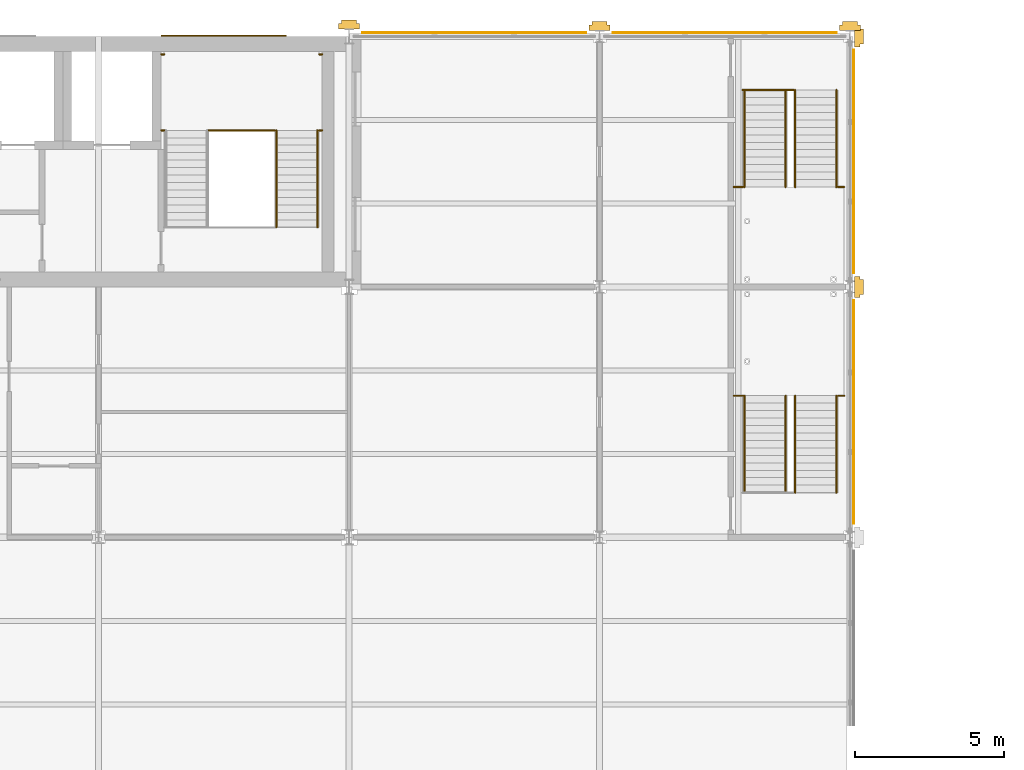
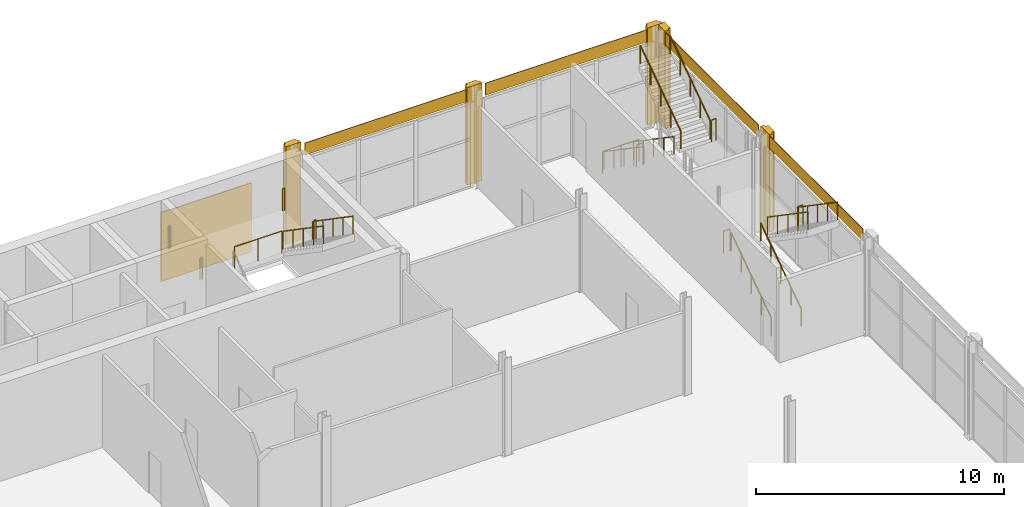
# One storey, part 167 of 167: 20 railings, 10 coverings.
"""IFC4 building model written with IfcOpenShell, lengths in metres."""

from ifc_helpers import new_model, si_unit, direction, frame, origin, origin_2d, place, context, subcontext, project, spatial, polyline, rectangle, circle, outline, extrude, material, layer, layer_set, type_object, element, save


model = new_model("IFC4")

# Units and contexts
model_context = context("Model", 3, precision=1e-05, world=origin(), true_north=direction((0.0, 1.0)))
body_context = subcontext(model_context, "Body", "Model", "MODEL_VIEW")
ifc_project = project(units=[si_unit("LENGTHUNIT", "METRE"), si_unit("AREAUNIT", "SQUARE_METRE"), si_unit("VOLUMEUNIT", "CUBIC_METRE"), si_unit("PLANEANGLEUNIT", "RADIAN"), si_unit("MASSUNIT", "GRAM", prefix="KILO")], contexts=[model_context])

# Site, building, storey
site_placement = place(None, origin())
site = spatial("IfcSite", under=ifc_project, at=site_placement, CompositionType="ELEMENT")
building_placement = place(site_placement, origin())
building = spatial("IfcBuilding", under=site, at=building_placement, Name="Catenary Quay Ferry Terminal", CompositionType="ELEMENT")
storey_placement = place(building_placement, frame((0.0, 0.0, 6.0)))
storey = spatial("IfcBuildingStorey", under=building, at=storey_placement, Name="L01", CompositionType="ELEMENT", Elevation=6.0)

# Coverings
ifc_material_1 = material(Name="Ceramic tile")
ifc_layer_1 = layer(ifc_material_1, 0.0400390625)
ifc_layer_set_1 = layer_set([ifc_layer_1], Name="CL2")
covering_type_1 = type_object("IfcCoveringType", Name="CL2", PredefinedType="CLADDING", material=ifc_layer_set_1)
covering_1_placement = place(storey_placement, origin())
element("IfcCovering", 1, at=covering_1_placement, inside=storey, type_object=covering_type_1, Name="Ceramic pier casing", PredefinedType="CLADDING", context=body_context, shape_type="SweptSolid", body=[
    extrude(outline(polyline([(50.75, 210.25), (50.75, 210.429931640625), (50.64990234375, 210.429931640625), (50.64990234375, 210.550048828125), (50.14990234375, 210.550048828125), (50.14990234375, 210.429931640625), (50.050048828125, 210.429931640625), (50.050048828125, 210.25), (50.75, 210.25)])), origin(), (0.0, 0.0, 1.0), 4.800048828125),
])
covering_2_placement = place(storey_placement, origin())
element("IfcCovering", 2, at=covering_2_placement, inside=storey, type_object=covering_type_1, Name="Ceramic pier casing", PredefinedType="CLADDING", context=body_context, shape_type="SweptSolid", body=[
    extrude(outline(polyline([(59.14990234375, 210.199951171875), (59.14990234375, 210.3798828125), (59.050048828125, 210.3798828125), (59.050048828125, 210.5), (58.550048828125, 210.5), (58.550048828125, 210.3798828125), (58.449951171875, 210.3798828125), (58.449951171875, 210.199951171875), (59.14990234375, 210.199951171875)])), origin(), (0.0, 0.0, 1.0), 4.800048828125),
])
covering_3_placement = place(storey_placement, origin())
element("IfcCovering", 3, at=covering_3_placement, inside=storey, type_object=covering_type_1, Name="Ceramic pier casing", PredefinedType="CLADDING", context=body_context, shape_type="SweptSolid", body=[
    extrude(outline(polyline([(67.35009765625, 201.25), (67.530029296875, 201.25), (67.530029296875, 201.35009765625), (67.64990234375, 201.35009765625), (67.64990234375, 201.85009765625), (67.530029296875, 201.85009765625), (67.530029296875, 201.949951171875), (67.35009765625, 201.949951171875), (67.35009765625, 201.25)])), origin(), (0.0, 0.0, 1.0), 4.800048828125),
])
covering_4_placement = place(storey_placement, origin())
element("IfcCovering", 4, at=covering_4_placement, inside=storey, type_object=covering_type_1, Name="Ceramic pier casing", PredefinedType="CLADDING", context=body_context, shape_type="SweptSolid", body=[
    extrude(outline(polyline([(67.35009765625, 209.64990234375), (67.530029296875, 209.64990234375), (67.530029296875, 209.75), (67.64990234375, 209.75), (67.64990234375, 210.25), (67.530029296875, 210.25), (67.530029296875, 210.35009765625), (67.35009765625, 210.35009765625), (67.35009765625, 209.64990234375)])), origin(), (0.0, 0.0, 1.0), 4.800048828125),
])
covering_5_placement = place(storey_placement, origin())
element("IfcCovering", 5, at=covering_5_placement, inside=storey, type_object=covering_type_1, Name="Ceramic pier casing", PredefinedType="CLADDING", context=body_context, shape_type="SweptSolid", body=[
    extrude(outline(polyline([(67.550048828125, 210.199951171875), (67.550048828125, 210.3798828125), (67.449951171875, 210.3798828125), (67.449951171875, 210.5), (66.949951171875, 210.5), (66.949951171875, 210.3798828125), (66.85009765625, 210.3798828125), (66.85009765625, 210.199951171875), (67.550048828125, 210.199951171875)])), origin(), (0.0, 0.0, 1.0), 4.800048828125),
])
ifc_material_2 = material(Name="Ceramic tile")
ifc_layer_2 = layer(ifc_material_2, 0.034912109375)
ifc_layer_set_2 = layer_set([ifc_layer_2], Name="CL5")
covering_type_2 = type_object("IfcCoveringType", Name="CL5", PredefinedType="CLADDING", material=ifc_layer_set_2)
covering_6_placement = place(storey_placement, frame((46.199951171875, 210.017578125, 0.400146484375), z_axis=(0.0, 0.0, 1.0), x_axis=(1.0, 0.0, 0.0)))
element("IfcCovering", 6, at=covering_6_placement, inside=storey, type_object=covering_type_2, Name="Core h210.0 cladding CV314", PredefinedType="CLADDING", context=body_context, shape_type="SweptSolid", body=[
    extrude(rectangle(XDim=4.199951171875, YDim=0.034912109375, at=origin_2d()), origin(), (0.0, 0.0, 1.0), 3.39990234375),
])
ifc_material_3 = material(Name="Glazed ceramic tile, ochre")
ifc_layer_3 = layer(ifc_material_3, 0.030029296875)
ifc_layer_set_3 = layer_set([ifc_layer_3], Name="CL6")
covering_type_3 = type_object("IfcCoveringType", Name="CL6", PredefinedType="CLADDING", material=ifc_layer_set_3)
for number, where, z_axis, x_axis, name in (
    (7, (67.3193359375, 197.39990234375, 4.199951171875), (0.0, 0.0, 1.0), (1.0, 0.0, 0.0), "Band wing v67.2 cladding CV310"),
    (8, (67.3193359375, 205.800048828125, 4.199951171875), (0.0, 0.0, 1.0), (1.0, 0.0, 0.0), "Band wing v67.2 cladding CV311"),
):
    element("IfcCovering", number, at=place(storey_placement, frame(where, z_axis=z_axis, x_axis=x_axis)), inside=storey, type_object=covering_type_3, Name=name, PredefinedType="CLADDING", context=body_context, shape_type="SweptSolid", body=[
        extrude(rectangle(XDim=0.030029296875, YDim=7.5, at=origin_2d()), origin(), (0.0, 0.0, 1.0), 0.60009765625),
    ])
for number, where, z_axis, x_axis, name in (
    (9, (54.60009765625, 210.119384765625, 4.199951171875), (0.0, 0.0, 1.0), (1.0, 0.0, 0.0), "Band wing h210.0 cladding CV315"),
    (10, (63.0, 210.119384765625, 4.199951171875), (0.0, 0.0, 1.0), (1.0, 0.0, 0.0), "Band wing h210.0 cladding CV316"),
):
    element("IfcCovering", number, at=place(storey_placement, frame(where, z_axis=z_axis, x_axis=x_axis)), inside=storey, type_object=covering_type_3, Name=name, PredefinedType="CLADDING", context=body_context, shape_type="SweptSolid", body=[
        extrude(rectangle(XDim=7.5, YDim=0.030029296875, at=origin_2d()), origin(), (0.0, 0.0, 1.0), 0.60009765625),
    ])

# Railings
ifc_material_4 = material(Name="Steel and glass", Category="steel")
railing_type_1 = type_object("IfcRailingType", Name="GI1", PredefinedType="GUARDRAIL", material=ifc_material_4)
railing_1_placement = place(storey_placement, frame((45.699951171875, 206.85009765625, 2.39990234375)))
element("IfcRailing", 11, at=railing_1_placement, inside=storey, type_object=railing_type_1, Name="HS1 landing guard GI84", PredefinedType="GUARDRAIL", context=body_context, shape_type="SweptSolid", body=[
    extrude(circle(Radius=0.02392578125, at=origin_2d()), frame((0.0, 0.0, 1.076171875), z_axis=(1.0, 0.0, 0.0), x_axis=(0.0, 1.0, 0.0)), (0.0, 0.0, 1.0), 2.199951171875),
    extrude(circle(Radius=0.02099609375, at=origin_2d()), origin(), (0.0, 0.0, 1.0), 1.052001953125),
    extrude(circle(Radius=0.02099609375, at=origin_2d()), frame((1.10009765625, 0.0, 0.0)), (0.0, 0.0, 1.0), 1.052001953125),
    extrude(circle(Radius=0.02099609375, at=origin_2d()), frame((2.199951171875, 0.0, 0.0)), (0.0, 0.0, 1.0), 1.052001953125),
])
railing_2_placement = place(storey_placement, frame((49.5, 206.85009765625, 2.39990234375)))
element("IfcRailing", 12, at=railing_2_placement, inside=storey, type_object=railing_type_1, Name="HS1 strip 0 guard GI85", PredefinedType="GUARDRAIL", context=body_context, shape_type="SweptSolid", body=[
    extrude(circle(Radius=0.02392578125, at=origin_2d()), frame((0.0, 0.0, 1.076171875), z_axis=(-1.0, 0.0, 0.0), x_axis=(0.0, -1.0, 0.0)), (0.0, 0.0, 1.0), 0.099853515625),
    extrude(circle(Radius=0.02099609375, at=origin_2d()), origin(), (0.0, 0.0, 1.0), 1.052001953125),
    extrude(circle(Radius=0.02099609375, at=origin_2d()), frame((-0.099853515625, 0.0, 0.0)), (0.0, 0.0, 1.0), 1.052001953125),
])
for number, where, name in (
    (13, (49.400146484375, 209.39990234375, 2.39990234375), "HS1 strip 0 guard GI86"),
    (14, (44.10009765625, 209.39990234375, 2.39990234375), "HS1 strip 0 guard GI87"),
):
    element("IfcRailing", number, at=place(storey_placement, frame(where)), inside=storey, type_object=railing_type_1, Name=name, PredefinedType="GUARDRAIL", context=body_context, shape_type="SweptSolid", body=[
        extrude(circle(Radius=0.02392578125, at=origin_2d()), frame((0.0, 0.0, 1.076171875), z_axis=(1.0, 0.0, 0.0), x_axis=(0.0, 1.0, 0.0)), (0.0, 0.0, 1.0), 0.099853515625),
        extrude(circle(Radius=0.02099609375, at=origin_2d()), origin(), (0.0, 0.0, 1.0), 1.052001953125),
        extrude(circle(Radius=0.02099609375, at=origin_2d()), frame((0.099853515625, 0.0, 0.0)), (0.0, 0.0, 1.0), 1.052001953125),
    ])
railing_3_placement = place(storey_placement, frame((44.199951171875, 206.85009765625, 2.39990234375)))
element("IfcRailing", 15, at=railing_3_placement, inside=storey, type_object=railing_type_1, Name="HS1 strip 0 guard GI88", PredefinedType="GUARDRAIL", context=body_context, shape_type="SweptSolid", body=[
    extrude(circle(Radius=0.02392578125, at=origin_2d()), frame((0.0, 0.0, 1.076171875), z_axis=(-1.0, 0.0, 0.0), x_axis=(0.0, -1.0, 0.0)), (0.0, 0.0, 1.0), 0.099853515625),
    extrude(circle(Radius=0.02099609375, at=origin_2d()), origin(), (0.0, 0.0, 1.0), 1.052001953125),
    extrude(circle(Radius=0.02099609375, at=origin_2d()), frame((-0.099853515625, 0.0, 0.0)), (0.0, 0.0, 1.0), 1.052001953125),
])
railing_4_placement = place(storey_placement, frame((63.599853515625, 197.949951171875, 2.39990234375)))
element("IfcRailing", 16, at=railing_4_placement, inside=storey, type_object=railing_type_1, Name="HS4 strip 0 guard GI226", PredefinedType="GUARDRAIL", context=body_context, shape_type="SweptSolid", body=[
    extrude(circle(Radius=0.02392578125, at=origin_2d()), frame((0.0, 0.0, 1.076171875), z_axis=(-1.0, 0.0, 0.0), x_axis=(0.0, -1.0, 0.0)), (0.0, 0.0, 1.0), 0.2998046875),
    extrude(circle(Radius=0.02099609375, at=origin_2d()), origin(), (0.0, 0.0, 1.0), 1.052001953125),
    extrude(circle(Radius=0.02099609375, at=origin_2d()), frame((-0.2998046875, 0.0, 0.0)), (0.0, 0.0, 1.0), 1.052001953125),
])
railing_5_placement = place(storey_placement, frame((67.0, 197.949951171875, 2.39990234375)))
element("IfcRailing", 17, at=railing_5_placement, inside=storey, type_object=railing_type_1, Name="HS4 strip 0 guard GI227", PredefinedType="GUARDRAIL", context=body_context, shape_type="SweptSolid", body=[
    extrude(circle(Radius=0.02392578125, at=origin_2d()), frame((0.0, 0.0, 1.076171875), z_axis=(-1.0, 0.0, 0.0), x_axis=(0.0, -1.0, 0.0)), (0.0, 0.0, 1.0), 0.199951171875),
    extrude(circle(Radius=0.02099609375, at=origin_2d()), origin(), (0.0, 0.0, 1.0), 1.052001953125),
    extrude(circle(Radius=0.02099609375, at=origin_2d()), frame((-0.199951171875, 0.0, 0.0)), (0.0, 0.0, 1.0), 1.052001953125),
])
railing_6_placement = place(storey_placement, frame((63.60009765625, 208.199951171875, 0.0)))
element("IfcRailing", 18, at=railing_6_placement, inside=storey, type_object=railing_type_1, Name="HS5 well guard GI246", PredefinedType="GUARDRAIL", context=body_context, shape_type="SweptSolid", body=[
    extrude(circle(Radius=0.02392578125, at=origin_2d()), frame((0.0, 0.0, 1.076171875), z_axis=(1.0, 0.0, 0.0), x_axis=(0.0, 1.0, 0.0)), (0.0, 0.0, 1.0), 1.699951171875),
    extrude(circle(Radius=0.02099609375, at=origin_2d()), origin(), (0.0, 0.0, 1.0), 1.052001953125),
    extrude(circle(Radius=0.02099609375, at=origin_2d()), frame((0.85009765625, 0.0, 0.0)), (0.0, 0.0, 1.0), 1.052001953125),
    extrude(circle(Radius=0.02099609375, at=origin_2d()), frame((1.699951171875, 0.0, 0.0)), (0.0, 0.0, 1.0), 1.052001953125),
])
railing_7_placement = place(storey_placement, frame((63.300048828125, 204.949951171875, 2.39990234375)))
element("IfcRailing", 19, at=railing_7_placement, inside=storey, type_object=railing_type_1, Name="HS5 strip 0 guard GI258", PredefinedType="GUARDRAIL", context=body_context, shape_type="SweptSolid", body=[
    extrude(circle(Radius=0.02392578125, at=origin_2d()), frame((0.0, 0.0, 1.076171875), z_axis=(1.0, 0.0, 0.0), x_axis=(0.0, 1.0, 0.0)), (0.0, 0.0, 1.0), 0.2998046875),
    extrude(circle(Radius=0.02099609375, at=origin_2d()), origin(), (0.0, 0.0, 1.0), 1.052001953125),
    extrude(circle(Radius=0.02099609375, at=origin_2d()), frame((0.2998046875, 0.0, 0.0)), (0.0, 0.0, 1.0), 1.052001953125),
])
railing_8_placement = place(storey_placement, frame((66.800048828125, 204.949951171875, 2.39990234375)))
element("IfcRailing", 20, at=railing_8_placement, inside=storey, type_object=railing_type_1, Name="HS5 strip 0 guard GI259", PredefinedType="GUARDRAIL", context=body_context, shape_type="SweptSolid", body=[
    extrude(circle(Radius=0.02392578125, at=origin_2d()), frame((0.0, 0.0, 1.076171875), z_axis=(1.0, 0.0, 0.0), x_axis=(0.0, 1.0, 0.0)), (0.0, 0.0, 1.0), 0.199951171875),
    extrude(circle(Radius=0.02099609375, at=origin_2d()), origin(), (0.0, 0.0, 1.0), 1.052001953125),
    extrude(circle(Radius=0.02099609375, at=origin_2d()), frame((0.199951171875, 0.0, 0.0)), (0.0, 0.0, 1.0), 1.052001953125),
])
ifc_material_5 = material(Name="Stainless steel", Category="steel")
railing_type_2 = type_object("IfcRailingType", Name="HR1", PredefinedType="HANDRAIL", material=ifc_material_5)
for number, where, name in (
    (21, (47.9599609375, 206.85009765625, 2.571533203125), "HS1 F2A handrail HR81"),
    (22, (49.340087890625, 206.85009765625, 2.571533203125), "HS1 F2B handrail HR82"),
):
    element("IfcRailing", number, at=place(storey_placement, frame(where)), inside=storey, type_object=railing_type_2, Name=name, PredefinedType="HANDRAIL", context=body_context, shape_type="SweptSolid", body=[
        extrude(circle(Radius=0.02392578125, at=origin_2d()), frame((0.0, 0.0, 0.8759765625), z_axis=(0.0, -0.824735456578, 0.565518723531), x_axis=(1.0, 0.0, 0.0)), (0.0, 0.0, 1.0), 3.940673828125),
        extrude(circle(Radius=0.02099609375, at=origin_2d()), origin(), (0.0, 0.0, 1.0), 0.851806640625),
        extrude(circle(Radius=0.02099609375, at=origin_2d()), frame((0.0, -0.8125, 0.55712890625)), (0.0, 0.0, 1.0), 0.851806640625),
        extrude(circle(Radius=0.02099609375, at=origin_2d()), frame((0.0, -1.625, 1.1142578125)), (0.0, 0.0, 1.0), 0.851806640625),
        extrude(circle(Radius=0.02099609375, at=origin_2d()), frame((0.0, -2.4375, 1.67138671875)), (0.0, 0.0, 1.0), 0.851806640625),
        extrude(circle(Radius=0.02099609375, at=origin_2d()), frame((0.0, -3.25, 2.228515625)), (0.0, 0.0, 1.0), 0.851806640625),
    ])
for number, where, name in (
    (23, (63.659912109375, 194.699951171875, 0.17138671875), "HS4 F1A handrail HR221"),
    (24, (65.0400390625, 194.699951171875, 0.17138671875), "HS4 F1B handrail HR222"),
):
    element("IfcRailing", number, at=place(storey_placement, frame(where)), inside=storey, type_object=railing_type_2, Name=name, PredefinedType="HANDRAIL", context=body_context, shape_type="SweptSolid", body=[
        extrude(circle(Radius=0.02392578125, at=origin_2d()), frame((0.0, 0.0, 0.8759765625), z_axis=(0.0, 0.824735456578, 0.565518723531), x_axis=(-1.0, 0.0, 0.0)), (0.0, 0.0, 1.0), 3.940673828125),
        extrude(circle(Radius=0.02099609375, at=origin_2d()), origin(), (0.0, 0.0, 1.0), 0.851806640625),
        extrude(circle(Radius=0.02099609375, at=origin_2d()), frame((0.0, 0.8125, 0.55712890625)), (0.0, 0.0, 1.0), 0.851806640625),
        extrude(circle(Radius=0.02099609375, at=origin_2d()), frame((0.0, 1.625, 1.1142578125)), (0.0, 0.0, 1.0), 0.851806640625),
        extrude(circle(Radius=0.02099609375, at=origin_2d()), frame((0.0, 2.4375, 1.67138671875)), (0.0, 0.0, 1.0), 0.851806640625),
        extrude(circle(Radius=0.02099609375, at=origin_2d()), frame((0.0, 3.25, 2.228515625)), (0.0, 0.0, 1.0), 0.851806640625),
    ])
for number, where, name in (
    (25, (65.360107421875, 197.949951171875, 2.571533203125), "HS4 F2A handrail HR223"),
    (26, (66.739990234375, 197.949951171875, 2.571533203125), "HS4 F2B handrail HR224"),
    (27, (63.659912109375, 208.199951171875, 0.17138671875), "HS5 F1A handrail HR253"),
    (28, (65.0400390625, 208.199951171875, 0.17138671875), "HS5 F1B handrail HR254"),
):
    element("IfcRailing", number, at=place(storey_placement, frame(where)), inside=storey, type_object=railing_type_2, Name=name, PredefinedType="HANDRAIL", context=body_context, shape_type="SweptSolid", body=[
        extrude(circle(Radius=0.02392578125, at=origin_2d()), frame((0.0, 0.0, 0.8759765625), z_axis=(0.0, -0.824735456578, 0.565518723531), x_axis=(1.0, 0.0, 0.0)), (0.0, 0.0, 1.0), 3.940673828125),
        extrude(circle(Radius=0.02099609375, at=origin_2d()), origin(), (0.0, 0.0, 1.0), 0.851806640625),
        extrude(circle(Radius=0.02099609375, at=origin_2d()), frame((0.0, -0.8125, 0.55712890625)), (0.0, 0.0, 1.0), 0.851806640625),
        extrude(circle(Radius=0.02099609375, at=origin_2d()), frame((0.0, -1.625, 1.1142578125)), (0.0, 0.0, 1.0), 0.851806640625),
        extrude(circle(Radius=0.02099609375, at=origin_2d()), frame((0.0, -2.4375, 1.67138671875)), (0.0, 0.0, 1.0), 0.851806640625),
        extrude(circle(Radius=0.02099609375, at=origin_2d()), frame((0.0, -3.25, 2.228515625)), (0.0, 0.0, 1.0), 0.851806640625),
    ])
for number, where, name in (
    (29, (65.360107421875, 204.949951171875, 2.571533203125), "HS5 F2A handrail HR255"),
    (30, (66.739990234375, 204.949951171875, 2.571533203125), "HS5 F2B handrail HR256"),
):
    element("IfcRailing", number, at=place(storey_placement, frame(where)), inside=storey, type_object=railing_type_2, Name=name, PredefinedType="HANDRAIL", context=body_context, shape_type="SweptSolid", body=[
        extrude(circle(Radius=0.02392578125, at=origin_2d()), frame((0.0, 0.0, 0.8759765625), z_axis=(0.0, 0.824735456578, 0.565518723531), x_axis=(-1.0, 0.0, 0.0)), (0.0, 0.0, 1.0), 3.940673828125),
        extrude(circle(Radius=0.02099609375, at=origin_2d()), origin(), (0.0, 0.0, 1.0), 0.851806640625),
        extrude(circle(Radius=0.02099609375, at=origin_2d()), frame((0.0, 0.8125, 0.55712890625)), (0.0, 0.0, 1.0), 0.851806640625),
        extrude(circle(Radius=0.02099609375, at=origin_2d()), frame((0.0, 1.625, 1.1142578125)), (0.0, 0.0, 1.0), 0.851806640625),
        extrude(circle(Radius=0.02099609375, at=origin_2d()), frame((0.0, 2.4375, 1.67138671875)), (0.0, 0.0, 1.0), 0.851806640625),
        extrude(circle(Radius=0.02099609375, at=origin_2d()), frame((0.0, 3.25, 2.228515625)), (0.0, 0.0, 1.0), 0.851806640625),
    ])

save(model, "model.ifc")
